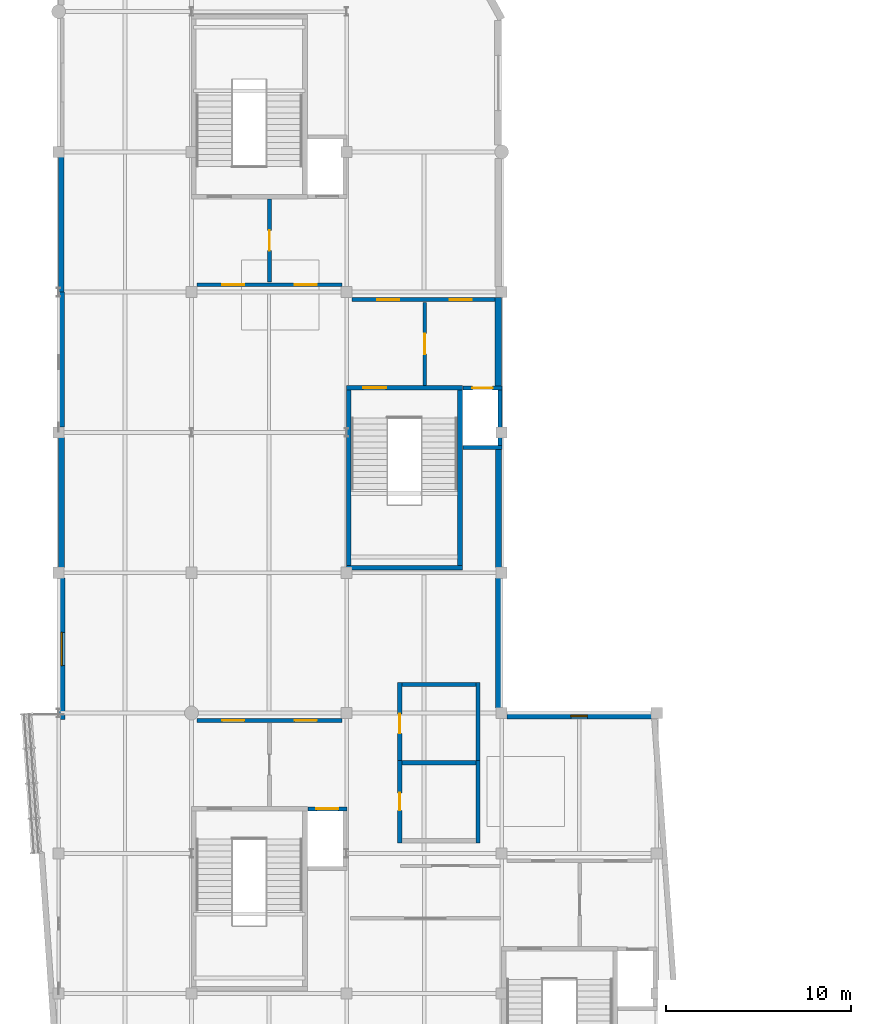
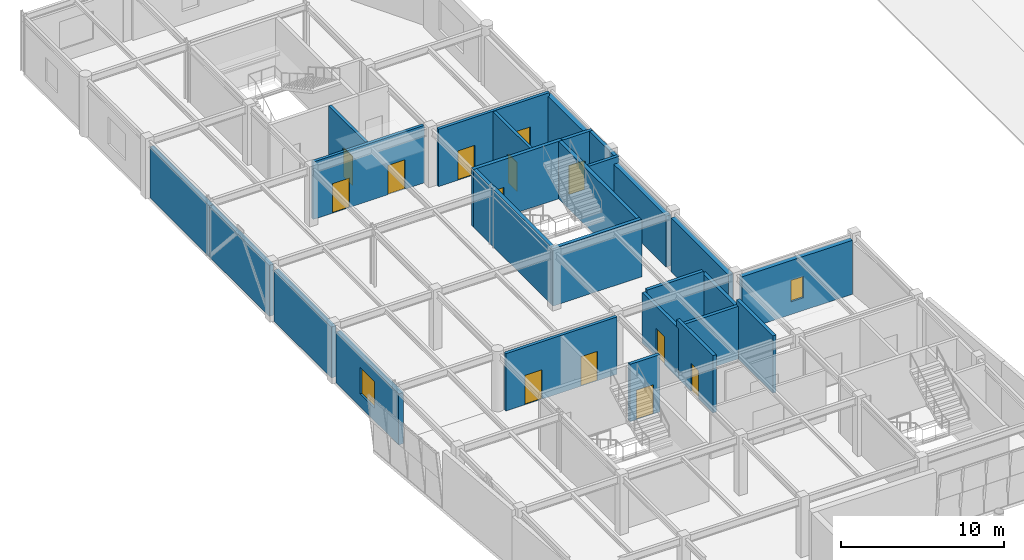
# One storey, part 19 of 28: 27 walls, 13 doors, 2 windows, 15 openings.
"""IFC4 building model written with IfcOpenShell, lengths in metres."""

from ifc_helpers import new_model, si_unit, direction, frame, frame_2d, origin, place, context, subcontext, project, spatial, rectangle, extrude, material, layer, layer_set, type_object, element, fill, save


model = new_model("IFC4")

# Units and contexts
model_context = context("Model", 3, precision=1e-05, world=origin(), true_north=direction((0.0, 1.0)))
body_context = subcontext(model_context, "Body", "Model", "MODEL_VIEW")
ifc_project = project(units=[si_unit("LENGTHUNIT", "METRE"), si_unit("AREAUNIT", "SQUARE_METRE"), si_unit("VOLUMEUNIT", "CUBIC_METRE"), si_unit("PLANEANGLEUNIT", "RADIAN"), si_unit("MASSUNIT", "GRAM", prefix="KILO")], contexts=[model_context])

# Site, building, storey
site_placement = place(None, origin())
site = spatial("IfcSite", under=ifc_project, at=site_placement, CompositionType="ELEMENT")
building_placement = place(site_placement, origin())
building = spatial("IfcBuilding", under=site, at=building_placement, Name="Xicomal Pleat Aquarium", CompositionType="ELEMENT")
storey_placement = place(building_placement, frame((0.0, 0.0, 15.300048828125)))
storey = spatial("IfcBuildingStorey", under=building, at=storey_placement, Name="L04", CompositionType="ELEMENT", Elevation=15.300048828125)

# Wall, opening, door
ifc_material_1 = material(Name="Concrete C40/50", Category="concrete")
ifc_layer_1 = layer(ifc_material_1, 0.219970703125)
ifc_layer_set_1 = layer_set([ifc_layer_1], Name="Concrete C40/50")
wall_type_1 = type_object("IfcWallType", Name="WAL-COR-220", PredefinedType="SHEAR", material=ifc_layer_set_1)
wall_1_placement = place(storey_placement, frame((16.5, 32.81005859375, 0.0), z_axis=(0.0, 0.0, 1.0), x_axis=(1.0, 0.0, 0.0)))
wall_1 = element("IfcWall", 1, at=wall_1_placement, inside=storey, type_object=wall_type_1, Name="L04 LF-01 lift shaft wall CW-L04-C1-LN", PredefinedType="SHEAR", context=body_context, shape_type="SweptSolid", body=[
    extrude(rectangle(XDim=2.1201171875, YDim=0.219970703125, at=frame_2d((1.06005859375, 0.0))), origin(), (0.0, 0.0, 1.0), 4.2900390625),
])
opening_1_placement = place(wall_1_placement, frame((0.4599609375, 0.0, 0.0)))
opening_1 = element("IfcOpeningElement", 2, at=opening_1_placement, cuts=wall_1, Name="Opening LD-01-L04", PredefinedType="OPENING", context=body_context, shape_type="SweptSolid", body=[
    extrude(rectangle(XDim=1.199951171875, YDim=2.199951171875, at=frame_2d((0.60009765625, 1.10009765625))), frame((0.0, 0.119873046875, 0.0), z_axis=(0.0, -1.0, 0.0), x_axis=(1.0, 0.0, 0.0)), (0.0, 0.0, 1.0), 0.239990234375),
])
ifc_material_2 = material(Name="Brushed stainless steel 304", Category="steel")
door_type_1 = type_object("IfcDoorType", Name="DOR-LD-1200x2200", OperationType="DOUBLE_DOOR_SLIDING", PredefinedType="DOOR", material=ifc_material_2)
door_1_placement = place(opening_1_placement, origin())
door_1 = element("IfcDoor", 3, at=door_1_placement, inside=storey, type_object=door_type_1, Name="L04 LF-01 sliding lift landing door", OperationType="DOUBLE_DOOR_SLIDING", OverallHeight=2.199951171875, OverallWidth=1.199951171875, PredefinedType="DOOR", context=body_context, shape_type="SweptSolid", body=[
    extrude(rectangle(XDim=1.199951171875, YDim=2.199951171875, at=frame_2d((0.60009765625, 1.10009765625))), frame((0.0, 0.02490234375, 0.0), z_axis=(0.0, -1.0, 0.0), x_axis=(1.0, 0.0, 0.0)), (0.0, 0.0, 1.0), 0.050048828125),
])
fill(opening_1, door_1)

# Wall
wall_2_placement = place(storey_placement, frame((24.89990234375, 52.389892578125, 0.0), z_axis=(0.0, 0.0, 1.0), x_axis=(1.0, 0.0, 0.0)))
element("IfcWall", 4, at=wall_2_placement, inside=storey, type_object=wall_type_1, Name="L04 LF-04 lift shaft wall CW-L04-C4-LS", PredefinedType="SHEAR", context=body_context, shape_type="SweptSolid", body=[
    extrude(rectangle(XDim=2.1201171875, YDim=0.219970703125, at=frame_2d((1.06005859375, 0.0))), origin(), (0.0, 0.0, 1.0), 4.2900390625),
])

# Wall, opening, door
wall_3_placement = place(storey_placement, frame((24.89990234375, 55.610107421875, 0.0), z_axis=(0.0, 0.0, 1.0), x_axis=(1.0, 0.0, 0.0)))
wall_3 = element("IfcWall", 5, at=wall_3_placement, inside=storey, type_object=wall_type_1, Name="L04 LF-04 lift shaft wall CW-L04-C4-LN", PredefinedType="SHEAR", context=body_context, shape_type="SweptSolid", body=[
    extrude(rectangle(XDim=2.1201171875, YDim=0.219970703125, at=frame_2d((1.06005859375, 0.0))), origin(), (0.0, 0.0, 1.0), 4.2900390625),
])
opening_2_placement = place(wall_3_placement, frame((0.510009765625, 0.0, 0.0)))
opening_2 = element("IfcOpeningElement", 6, at=opening_2_placement, cuts=wall_3, Name="Opening LD-04-L04", PredefinedType="OPENING", context=body_context, shape_type="SweptSolid", body=[
    extrude(rectangle(XDim=1.10009765625, YDim=2.14990234375, at=frame_2d((0.550048828125, 1.074951171875))), frame((0.0, 0.119873046875, 0.0), z_axis=(0.0, -1.0, 0.0), x_axis=(1.0, 0.0, 0.0)), (0.0, 0.0, 1.0), 0.239990234375),
])
ifc_material_3 = material(Name="Brushed stainless steel 304", Category="steel")
door_type_2 = type_object("IfcDoorType", Name="DOR-LD-1100x2150", OperationType="DOUBLE_DOOR_SLIDING", PredefinedType="DOOR", material=ifc_material_3)
door_2_placement = place(opening_2_placement, origin())
door_2 = element("IfcDoor", 7, at=door_2_placement, inside=storey, type_object=door_type_2, Name="L04 LF-04 sliding lift landing door", OperationType="DOUBLE_DOOR_SLIDING", OverallHeight=2.14990234375, OverallWidth=1.10009765625, PredefinedType="DOOR", context=body_context, shape_type="SweptSolid", body=[
    extrude(rectangle(XDim=1.10009765625, YDim=2.14990234375, at=frame_2d((0.550048828125, 1.074951171875))), frame((0.0, 0.02490234375, 0.0), z_axis=(0.0, -1.0, 0.0), x_axis=(1.0, 0.0, 0.0)), (0.0, 0.0, 1.0), 0.050048828125),
])
fill(opening_2, door_2)

# Walls
wall_4_placement = place(storey_placement, frame((26.909912109375, 52.5, 0.0), z_axis=(0.0, 0.0, 1.0), x_axis=(0.0, 1.0, 0.0)))
element("IfcWall", 8, at=wall_4_placement, inside=storey, type_object=wall_type_1, Name="L04 LF-04 lift shaft wall CW-L04-C4-LE", PredefinedType="SHEAR", context=body_context, shape_type="SweptSolid", body=[
    extrude(rectangle(XDim=3.0, YDim=0.219970703125, at=frame_2d((1.5, 0.0))), origin(), (0.0, 0.0, 1.0), 4.2900390625),
])
ifc_material_4 = material(Name="Concrete C40/50", Category="concrete")
ifc_layer_2 = layer(ifc_material_4, 0.25)
ifc_layer_set_2 = layer_set([ifc_layer_2], Name="Concrete C40/50")
wall_type_2 = type_object("IfcWallType", Name="WAL-COR-250", PredefinedType="SHEAR", material=ifc_layer_set_2)
wall_5_placement = place(storey_placement, frame((18.590087890625, 45.875, 0.0), z_axis=(0.0, 0.0, 1.0), x_axis=(1.0, 0.0, 0.0)))
element("IfcWall", 9, at=wall_5_placement, inside=storey, type_object=wall_type_2, Name="L04 CORE-4 stair shear wall CW-L04-C4-SS", PredefinedType="SHEAR", context=body_context, shape_type="SweptSolid", body=[
    extrude(rectangle(XDim=6.280029296875, YDim=0.25, at=frame_2d((3.14013671875, 0.0))), origin(), (0.0, 0.0, 1.0), 4.2900390625),
])

# Wall, opening, door
wall_6_placement = place(storey_placement, frame((18.590087890625, 55.625, 0.0), z_axis=(0.0, 0.0, 1.0), x_axis=(1.0, 0.0, 0.0)))
wall_6 = element("IfcWall", 10, at=wall_6_placement, inside=storey, type_object=wall_type_2, Name="L04 CORE-4 stair shear wall CW-L04-C4-SN", PredefinedType="SHEAR", context=body_context, shape_type="SweptSolid", body=[
    extrude(rectangle(XDim=6.280029296875, YDim=0.25, at=frame_2d((3.14013671875, 0.0))), origin(), (0.0, 0.0, 1.0), 4.2900390625),
])
opening_3_placement = place(wall_6_placement, frame((0.89990234375, 0.0, 0.0)))
opening_3 = element("IfcOpeningElement", 11, at=opening_3_placement, cuts=wall_6, Name="Opening SD-04-L04", PredefinedType="OPENING", context=body_context, shape_type="SweptSolid", body=[
    extrude(rectangle(XDim=1.25, YDim=2.199951171875, at=frame_2d((0.625, 1.10009765625))), frame((0.0, 0.135009765625, 0.0), z_axis=(0.0, -1.0, 0.0), x_axis=(1.0, 0.0, 0.0)), (0.0, 0.0, 1.0), 0.27001953125),
])
ifc_material_5 = material(Name="Powder-coated steel fire door", Category="steel")
door_type_3 = type_object("IfcDoorType", Name="DOR-ST-1250x2200", OperationType="NOTDEFINED", PredefinedType="DOOR", material=ifc_material_5)
door_3_placement = place(opening_3_placement, origin())
door_3 = element("IfcDoor", 12, at=door_3_placement, inside=storey, type_object=door_type_3, Name="L04 ST-04 protected stair door", OperationType="SINGLE_SWING_LEFT", OverallHeight=2.199951171875, OverallWidth=1.25, PredefinedType="DOOR", context=body_context, shape_type="SweptSolid", body=[
    extrude(rectangle(XDim=1.25, YDim=2.199951171875, at=frame_2d((0.625, 1.10009765625))), frame((0.0, 0.02490234375, 0.0), z_axis=(0.0, -1.0, 0.0), x_axis=(1.0, 0.0, 0.0)), (0.0, 0.0, 1.0), 0.050048828125),
])
fill(opening_3, door_3)

# Walls
for number, where, z_axis, x_axis, name in (
    (13, (18.715087890625, 46.0, 0.0), (0.0, 0.0, 1.0), (0.0, 1.0, 0.0), "L04 CORE-4 stair shear wall CW-L04-C4-SW"),
    (14, (24.7451171875, 46.0, 0.0), (0.0, 0.0, 1.0), (0.0, 1.0, 0.0), "L04 CORE-4 stair shear wall CW-L04-C4-SE"),
):
    element("IfcWall", number, at=place(storey_placement, frame(where, z_axis=z_axis, x_axis=x_axis)), inside=storey, type_object=wall_type_2, Name=name, PredefinedType="SHEAR", context=body_context, shape_type="SweptSolid", body=[
        extrude(rectangle(XDim=9.5, YDim=0.25, at=frame_2d((4.75, 0.0))), origin(), (0.0, 0.0, 1.0), 4.2900390625),
    ])
ifc_material_6 = material(Name="Volcanic basalt recinto masonry and concrete C40/50", Category="masonry")
ifc_layer_3 = layer(ifc_material_6, 0.35009765625)
ifc_layer_set_3 = layer_set([ifc_layer_3], Name="Volcanic basalt recinto masonry and concrete C40/50")
wall_type_3 = type_object("IfcWallType", Name="WAL-EXT-BAS-350", PredefinedType="SOLIDWALL", material=ifc_layer_set_3)
wall_7_placement = place(storey_placement, frame((26.824951171875, 60.514892578125, 0.0), z_axis=(0.0, 0.0, 1.0), x_axis=(0.0, -1.0, 0.0)))
element("IfcWall", 15, at=wall_7_placement, inside=storey, type_object=wall_type_3, Name="L04 exterior basalt-precast wall EW-L04-053", PredefinedType="SOLIDWALL", context=body_context, shape_type="SweptSolid", body=[
    extrude(rectangle(XDim=4.8349609375, YDim=0.35009765625, at=frame_2d((2.41748046875, 0.0))), origin(), (0.0, 0.0, 1.0), 4.034912109375),
])
ifc_material_7 = material(Name="Precast concrete C40/50", Category="concrete")
ifc_layer_4 = layer(ifc_material_7, 0.300048828125)
ifc_layer_set_4 = layer_set([ifc_layer_4], Name="Precast concrete C40/50")
wall_type_4 = type_object("IfcWallType", Name="WAL-EXT-PRC-300", PredefinedType="SOLIDWALL", material=ifc_layer_set_4)
wall_8_placement = place(storey_placement, frame((3.14990234375, 60.820068359375, 0.0), z_axis=(0.0, 0.0, 1.0), x_axis=(0.0, 1.0, 0.0)))
element("IfcWall", 16, at=wall_8_placement, inside=storey, type_object=wall_type_4, Name="L04 exterior basalt-precast wall EW-L04-044", PredefinedType="SOLIDWALL", context=body_context, shape_type="SweptSolid", body=[
    extrude(rectangle(XDim=7.294921875, YDim=0.300048828125, at=frame_2d((3.6474609375, 0.0))), origin(), (0.0, 0.0, 1.0), 3.81591796875),
])
ifc_material_8 = material(Name="Precast concrete C40/50", Category="concrete")
ifc_layer_5 = layer(ifc_material_8, 0.31201171875)
ifc_layer_set_5 = layer_set([ifc_layer_5], Name="Precast concrete C40/50")
wall_type_5 = type_object("IfcWallType", Name="WAL-EXT-PRC-312", PredefinedType="SOLIDWALL", material=ifc_layer_set_5)
wall_9_placement = place(storey_placement, frame((3.156005859375, 53.485107421875, 0.0), z_axis=(0.0, 0.0, 1.0), x_axis=(0.0, 1.0, 0.0)))
element("IfcWall", 17, at=wall_9_placement, inside=storey, type_object=wall_type_5, Name="L04 exterior basalt-precast wall EW-L04-043", PredefinedType="SOLIDWALL", context=body_context, shape_type="SweptSolid", body=[
    extrude(rectangle(XDim=7.3349609375, YDim=0.31201171875, at=frame_2d((3.66748046875, 0.0))), origin(), (0.0, 0.0, 1.0), 3.81591796875),
])

# Wall, opening, window
wall_10_placement = place(storey_placement, frame((27.284912109375, 37.843994140625, 0.0), z_axis=(0.0, 0.0, 1.0), x_axis=(1.0, 0.0, 0.0)))
wall_10 = element("IfcWall", 18, at=wall_10_placement, inside=storey, type_object=wall_type_5, Name="L04 exterior basalt-precast wall EW-L04-056", PredefinedType="SOLIDWALL", context=body_context, shape_type="SweptSolid", body=[
    extrude(rectangle(XDim=7.830078125, YDim=0.31201171875, at=frame_2d((3.9150390625, 0.0))), origin(), (0.0, 0.0, 1.0), 4.034912109375),
])
opening_4_placement = place(wall_10_placement, frame((3.465087890625, 0.0, 0.949951171875)))
opening_4 = element("IfcOpeningElement", 19, at=opening_4_placement, cuts=wall_10, Name="Opening WN-06", PredefinedType="OPENING", context=body_context, shape_type="SweptSolid", body=[
    extrude(rectangle(XDim=0.89990234375, YDim=1.60009765625, at=frame_2d((0.449951171875, 0.800048828125))), frame((0.0, 0.166015625, 0.0), z_axis=(0.0, -1.0, 0.0), x_axis=(1.0, 0.0, 0.0)), (0.0, 0.0, 1.0), 0.33203125),
])
ifc_material_9 = material(Name="Insulated low-E laminated glass", Category="glass")
window_type_1 = type_object("IfcWindowType", Name="WIN-EXT-0900x1600", PartitioningType="SINGLE_PANEL", PredefinedType="WINDOW", material=ifc_material_9)
window_1_placement = place(opening_4_placement, origin())
window_1 = element("IfcWindow", 20, at=window_1_placement, inside=storey, type_object=window_type_1, Name="L04 thermally broken low-E window 80", OverallHeight=1.60009765625, OverallWidth=0.89990234375, PartitioningType="SINGLE_PANEL", PredefinedType="WINDOW", context=body_context, shape_type="SweptSolid", body=[
    extrude(rectangle(XDim=0.89990234375, YDim=1.60009765625, at=frame_2d((0.449951171875, 0.800048828125))), frame((0.0, 0.030029296875, 0.0), z_axis=(0.0, -1.0, 0.0), x_axis=(1.0, 0.0, 0.0)), (0.0, 0.0, 1.0), 0.06005859375),
])
fill(opening_4, window_1)

# Walls
ifc_material_10 = material(Name="Precast concrete C40/50", Category="concrete")
ifc_layer_6 = layer(ifc_material_10, 0.324951171875)
ifc_layer_set_6 = layer_set([ifc_layer_6], Name="Precast concrete C40/50")
wall_type_6 = type_object("IfcWallType", Name="WAL-EXT-PRC-325", PredefinedType="SOLIDWALL", material=ifc_layer_set_6)
wall_11_placement = place(storey_placement, frame((3.1630859375, 45.885009765625, 0.0), z_axis=(0.0, 0.0, 1.0), x_axis=(0.0, 1.0, 0.0)))
element("IfcWall", 21, at=wall_11_placement, inside=storey, type_object=wall_type_6, Name="L04 exterior basalt-precast wall EW-L04-042", PredefinedType="SOLIDWALL", context=body_context, shape_type="SweptSolid", body=[
    extrude(rectangle(XDim=7.030029296875, YDim=0.324951171875, at=frame_2d((3.51513671875, 0.0))), origin(), (0.0, 0.0, 1.0), 3.81591796875),
])
wall_12_placement = place(storey_placement, frame((26.8369140625, 45.31494140625, 0.0), z_axis=(0.0, 0.0, 1.0), x_axis=(0.0, -1.0, 0.0)))
element("IfcWall", 22, at=wall_12_placement, inside=storey, type_object=wall_type_6, Name="L04 exterior basalt-precast wall EW-L04-055", PredefinedType="SOLIDWALL", context=body_context, shape_type="SweptSolid", body=[
    extrude(rectangle(XDim=7.030029296875, YDim=0.324951171875, at=frame_2d((3.51513671875, 0.0))), origin(), (0.0, 0.0, 1.0), 4.034912109375),
])

# Wall, opening, window
ifc_material_11 = material(Name="Precast concrete C40/50", Category="concrete")
ifc_layer_7 = layer(ifc_material_11, 0.340087890625)
ifc_layer_set_7 = layer_set([ifc_layer_7], Name="Precast concrete C40/50")
wall_type_7 = type_object("IfcWallType", Name="WAL-EXT-PRC-340", PredefinedType="SOLIDWALL", material=ifc_layer_set_7)
wall_13_placement = place(storey_placement, frame((3.169921875, 37.639892578125, 0.0), z_axis=(0.0, 0.0, 1.0), x_axis=(0.0, 1.0, 0.0)))
wall_13 = element("IfcWall", 23, at=wall_13_placement, inside=storey, type_object=wall_type_7, Name="L04 exterior basalt-precast wall EW-L04-041", PredefinedType="SOLIDWALL", context=body_context, shape_type="SweptSolid", body=[
    extrude(rectangle(XDim=7.675048828125, YDim=0.340087890625, at=frame_2d((3.83740234375, 0.0))), origin(), (0.0, 0.0, 1.0), 3.81591796875),
])
opening_5_placement = place(wall_13_placement, frame((2.93701171875, 0.0, 0.949951171875)))
opening_5 = element("IfcOpeningElement", 24, at=opening_5_placement, cuts=wall_13, Name="Opening WN-03", PredefinedType="OPENING", context=body_context, shape_type="SweptSolid", body=[
    extrude(rectangle(XDim=1.800048828125, YDim=2.0, at=frame_2d((0.89990234375, 1.0))), frame((0.0, 0.179931640625, 0.0), z_axis=(0.0, -1.0, 0.0), x_axis=(1.0, 0.0, 0.0)), (0.0, 0.0, 1.0), 0.360107421875),
])
ifc_material_12 = material(Name="Insulated low-E laminated glass", Category="glass")
window_type_2 = type_object("IfcWindowType", Name="WIN-EXT-1800x2000", PartitioningType="DOUBLE_PANEL_VERTICAL", PredefinedType="WINDOW", material=ifc_material_12)
window_2_placement = place(opening_5_placement, origin())
window_2 = element("IfcWindow", 25, at=window_2_placement, inside=storey, type_object=window_type_2, Name="L04 thermally broken low-E window 73", OverallHeight=2.0, OverallWidth=1.800048828125, PartitioningType="SINGLE_PANEL", PredefinedType="WINDOW", context=body_context, shape_type="SweptSolid", body=[
    extrude(rectangle(XDim=1.800048828125, YDim=2.0, at=frame_2d((0.89990234375, 1.0))), frame((0.0, 0.030029296875, 0.0), z_axis=(0.0, -1.0, 0.0), x_axis=(1.0, 0.0, 0.0)), (0.0, 0.0, 1.0), 0.06005859375),
])
fill(opening_5, window_2)

# Wall
wall_14_placement = place(storey_placement, frame((26.830078125, 52.320068359375, 0.0), z_axis=(0.0, 0.0, 1.0), x_axis=(0.0, -1.0, 0.0)))
element("IfcWall", 26, at=wall_14_placement, inside=storey, type_object=wall_type_7, Name="L04 exterior basalt-precast wall EW-L04-054", PredefinedType="SOLIDWALL", context=body_context, shape_type="SweptSolid", body=[
    extrude(rectangle(XDim=6.43505859375, YDim=0.340087890625, at=frame_2d((3.217529296875, 0.0))), origin(), (0.0, 0.0, 1.0), 3.81591796875),
])

# Wall, opening, door
ifc_material_13 = material(Name="Water-resistant cement-board wet-lab partition", Category="gypsum")
ifc_layer_8 = layer(ifc_material_13, 0.22998046875)
ifc_layer_set_8 = layer_set([ifc_layer_8], Name="Water-resistant cement-board wet-lab partition")
wall_type_8 = type_object("IfcWallType", Name="WAL-PLB-230", PredefinedType="PLUMBINGWALL", material=ifc_layer_set_8)
wall_15_placement = place(storey_placement, frame((21.485107421875, 30.969970703125, 0.0), z_axis=(0.0, 0.0, 1.0), x_axis=(0.0, 1.0, 0.0)))
wall_15 = element("IfcWall", 27, at=wall_15_placement, inside=storey, type_object=wall_type_8, Name="L04 enclosed toilet partition PT-L04-060", PredefinedType="PLUMBINGWALL", context=body_context, shape_type="SweptSolid", body=[
    extrude(rectangle(XDim=4.4599609375, YDim=0.22998046875, at=frame_2d((2.22998046875, 0.0))), origin(), (0.0, 0.0, 1.0), 4.2900390625),
])
opening_6_placement = place(wall_15_placement, frame((1.7548828125, 0.0, 0.0)))
opening_6 = element("IfcOpeningElement", 28, at=opening_6_placement, cuts=wall_15, Name="Opening DR-L04-034", PredefinedType="OPENING", context=body_context, shape_type="SweptSolid", body=[
    extrude(rectangle(XDim=0.949951171875, YDim=2.10009765625, at=frame_2d((0.47509765625, 1.050048828125))), frame((0.0, 0.125, 0.0), z_axis=(0.0, -1.0, 0.0), x_axis=(1.0, 0.0, 0.0)), (0.0, 0.0, 1.0), 0.25),
])
ifc_material_14 = material(Name="Solid-core hardwood and anodized aluminium frame", Category="wood")
door_type_4 = type_object("IfcDoorType", Name="DOR-WC-0950x2100", OperationType="NOTDEFINED", PredefinedType="DOOR", material=ifc_material_14)
door_4_placement = place(opening_6_placement, origin())
door_4 = element("IfcDoor", 29, at=door_4_placement, inside=storey, type_object=door_type_4, Name="L04 Public Toilet door DR-L04-034", OperationType="SINGLE_SWING_RIGHT", OverallHeight=2.10009765625, OverallWidth=0.949951171875, PredefinedType="DOOR", context=body_context, shape_type="SweptSolid", body=[
    extrude(rectangle(XDim=0.949951171875, YDim=2.10009765625, at=frame_2d((0.47509765625, 1.050048828125))), frame((0.0, 0.02490234375, 0.0), z_axis=(0.0, -1.0, 0.0), x_axis=(1.0, 0.0, 0.0)), (0.0, 0.0, 1.0), 0.050048828125),
])
fill(opening_6, door_4)

# Walls
wall_16_placement = place(storey_placement, frame((25.715087890625, 30.969970703125, 0.0), z_axis=(0.0, 0.0, 1.0), x_axis=(0.0, 1.0, 0.0)))
element("IfcWall", 30, at=wall_16_placement, inside=storey, type_object=wall_type_8, Name="L04 enclosed toilet partition PT-L04-061", PredefinedType="PLUMBINGWALL", context=body_context, shape_type="SweptSolid", body=[
    extrude(rectangle(XDim=4.4599609375, YDim=0.22998046875, at=frame_2d((2.22998046875, 0.0))), origin(), (0.0, 0.0, 1.0), 4.2900390625),
])
wall_17_placement = place(storey_placement, frame((21.60009765625, 35.31494140625, 0.0), z_axis=(0.0, 0.0, 1.0), x_axis=(1.0, 0.0, 0.0)))
element("IfcWall", 31, at=wall_17_placement, inside=storey, type_object=wall_type_8, Name="L04 enclosed toilet partition PT-L04-063", PredefinedType="PLUMBINGWALL", context=body_context, shape_type="SweptSolid", body=[
    extrude(rectangle(XDim=4.0, YDim=0.22998046875, at=frame_2d((2.0, 0.0))), origin(), (0.0, 0.0, 1.0), 3.930908203125),
])

# Wall, opening, door
wall_18_placement = place(storey_placement, frame((21.485107421875, 35.199951171875, 0.0), z_axis=(0.0, 0.0, 1.0), x_axis=(0.0, 1.0, 0.0)))
wall_18 = element("IfcWall", 32, at=wall_18_placement, inside=storey, type_object=wall_type_8, Name="L04 enclosed toilet partition PT-L04-064", PredefinedType="PLUMBINGWALL", context=body_context, shape_type="SweptSolid", body=[
    extrude(rectangle(XDim=4.4599609375, YDim=0.22998046875, at=frame_2d((2.22998046875, 0.0))), origin(), (0.0, 0.0, 1.0), 3.740966796875),
])
opening_7_placement = place(wall_18_placement, frame((1.705078125, 0.0, 0.0)))
opening_7 = element("IfcOpeningElement", 33, at=opening_7_placement, cuts=wall_18, Name="Opening DR-L04-035", PredefinedType="OPENING", context=body_context, shape_type="SweptSolid", body=[
    extrude(rectangle(XDim=1.050048828125, YDim=2.10009765625, at=frame_2d((0.52490234375, 1.050048828125))), frame((0.0, 0.125, 0.0), z_axis=(0.0, -1.0, 0.0), x_axis=(1.0, 0.0, 0.0)), (0.0, 0.0, 1.0), 0.25),
])
ifc_material_15 = material(Name="Solid-core hardwood and anodized aluminium frame", Category="wood")
door_type_5 = type_object("IfcDoorType", Name="DOR-AWC-1050x2100", OperationType="NOTDEFINED", PredefinedType="DOOR", material=ifc_material_15)
door_5_placement = place(opening_7_placement, origin())
door_5 = element("IfcDoor", 34, at=door_5_placement, inside=storey, type_object=door_type_5, Name="L04 Accessible Toilet door DR-L04-035", OperationType="SINGLE_SWING_LEFT", OverallHeight=2.10009765625, OverallWidth=1.050048828125, PredefinedType="DOOR", context=body_context, shape_type="SweptSolid", body=[
    extrude(rectangle(XDim=1.050048828125, YDim=2.10009765625, at=frame_2d((0.52490234375, 1.050048828125))), frame((0.0, 0.02490234375, 0.0), z_axis=(0.0, -1.0, 0.0), x_axis=(1.0, 0.0, 0.0)), (0.0, 0.0, 1.0), 0.050048828125),
])
fill(opening_7, door_5)

# Walls
wall_19_placement = place(storey_placement, frame((25.715087890625, 35.199951171875, 0.0), z_axis=(0.0, 0.0, 1.0), x_axis=(0.0, 1.0, 0.0)))
element("IfcWall", 35, at=wall_19_placement, inside=storey, type_object=wall_type_8, Name="L04 enclosed toilet partition PT-L04-065", PredefinedType="PLUMBINGWALL", context=body_context, shape_type="SweptSolid", body=[
    extrude(rectangle(XDim=4.4599609375, YDim=0.22998046875, at=frame_2d((2.22998046875, 0.0))), origin(), (0.0, 0.0, 1.0), 3.740966796875),
])
wall_20_placement = place(storey_placement, frame((21.60009765625, 39.544921875, 0.0), z_axis=(0.0, 0.0, 1.0), x_axis=(1.0, 0.0, 0.0)))
element("IfcWall", 36, at=wall_20_placement, inside=storey, type_object=wall_type_8, Name="L04 enclosed toilet partition PT-L04-066", PredefinedType="PLUMBINGWALL", context=body_context, shape_type="SweptSolid", body=[
    extrude(rectangle(XDim=4.0, YDim=0.22998046875, at=frame_2d((2.0, 0.0))), origin(), (0.0, 0.0, 1.0), 3.98193359375),
])

# Wall, opening, door
ifc_material_16 = material(Name="Acoustic double-stud drywall partition", Category="gypsum")
ifc_layer_9 = layer(ifc_material_16, 0.195068359375)
ifc_layer_set_9 = layer_set([ifc_layer_9], Name="Acoustic double-stud drywall partition")
wall_type_9 = type_object("IfcWallType", Name="WAL-PRT-195", PredefinedType="PARTITIONING", material=ifc_layer_set_9)
wall_21_placement = place(storey_placement, frame((14.425048828125, 61.35009765625, 0.0), z_axis=(0.0, 0.0, 1.0), x_axis=(0.0, 1.0, 0.0)))
wall_21 = element("IfcWall", 37, at=wall_21_placement, inside=storey, type_object=wall_type_9, Name="L04 firefighting lobby smoke divider 3", PredefinedType="PARTITIONING", context=body_context, shape_type="SweptSolid", body=[
    extrude(rectangle(XDim=4.5, YDim=0.195068359375, at=frame_2d((2.25, 0.0))), origin(), (0.0, 0.0, 1.0), 4.2900390625),
])
opening_8_placement = place(wall_21_placement, frame((1.699951171875, 0.0, 0.0)))
opening_8 = element("IfcOpeningElement", 38, at=opening_8_placement, cuts=wall_21, Name="Opening FD-03C-L04", PredefinedType="OPENING", context=body_context, shape_type="SweptSolid", body=[
    extrude(rectangle(XDim=1.10009765625, YDim=2.14990234375, at=frame_2d((0.550048828125, 1.074951171875))), frame((0.0, 0.107421875, 0.0), z_axis=(0.0, -1.0, 0.0), x_axis=(1.0, 0.0, 0.0)), (0.0, 0.0, 1.0), 0.215087890625),
])
ifc_material_17 = material(Name="Powder-coated steel fire door", Category="steel")
door_type_6 = type_object("IfcDoorType", Name="DOR-LAB-1100x2150", OperationType="NOTDEFINED", PredefinedType="DOOR", material=ifc_material_17)
door_6_placement = place(opening_8_placement, origin())
door_6 = element("IfcDoor", 39, at=door_6_placement, inside=storey, type_object=door_type_6, Name="L04 lobby interconnecting fire door 3C", OperationType="SINGLE_SWING_LEFT", OverallHeight=2.14990234375, OverallWidth=1.10009765625, PredefinedType="DOOR", context=body_context, shape_type="SweptSolid", body=[
    extrude(rectangle(XDim=1.10009765625, YDim=2.14990234375, at=frame_2d((0.550048828125, 1.074951171875))), frame((0.0, 0.02490234375, 0.0), z_axis=(0.0, -1.0, 0.0), x_axis=(1.0, 0.0, 0.0)), (0.0, 0.0, 1.0), 0.050048828125),
])
fill(opening_8, door_6)

wall_22_placement = place(storey_placement, frame((22.824951171875, 55.75, 0.0), z_axis=(0.0, 0.0, 1.0), x_axis=(0.0, 1.0, 0.0)))
wall_22 = element("IfcWall", 40, at=wall_22_placement, inside=storey, type_object=wall_type_9, Name="L04 firefighting lobby smoke divider 4", PredefinedType="PARTITIONING", context=body_context, shape_type="SweptSolid", body=[
    extrude(rectangle(XDim=4.5, YDim=0.195068359375, at=frame_2d((2.25, 0.0))), origin(), (0.0, 0.0, 1.0), 4.2900390625),
])
opening_9_placement = place(wall_22_placement, frame((1.699951171875, 0.0, 0.0)))
opening_9 = element("IfcOpeningElement", 41, at=opening_9_placement, cuts=wall_22, Name="Opening FD-04C-L04", PredefinedType="OPENING", context=body_context, shape_type="SweptSolid", body=[
    extrude(rectangle(XDim=1.10009765625, YDim=2.14990234375, at=frame_2d((0.550048828125, 1.074951171875))), frame((0.0, 0.107421875, 0.0), z_axis=(0.0, -1.0, 0.0), x_axis=(1.0, 0.0, 0.0)), (0.0, 0.0, 1.0), 0.215087890625),
])
door_7_placement = place(opening_9_placement, origin())
door_7 = element("IfcDoor", 42, at=door_7_placement, inside=storey, type_object=door_type_6, Name="L04 lobby interconnecting fire door 4C", OperationType="SINGLE_SWING_LEFT", OverallHeight=2.14990234375, OverallWidth=1.10009765625, PredefinedType="DOOR", context=body_context, shape_type="SweptSolid", body=[
    extrude(rectangle(XDim=1.10009765625, YDim=2.14990234375, at=frame_2d((0.550048828125, 1.074951171875))), frame((0.0, 0.02490234375, 0.0), z_axis=(0.0, -1.0, 0.0), x_axis=(1.0, 0.0, 0.0)), (0.0, 0.0, 1.0), 0.050048828125),
])
fill(opening_9, door_7)

# Wall, openings, doors
ifc_material_18 = material(Name="Fire-rated gypsum and mineral-wool partition", Category="gypsum")
ifc_layer_10 = layer(ifc_material_18, 0.2099609375)
ifc_layer_set_10 = layer_set([ifc_layer_10], Name="Fire-rated gypsum and mineral-wool partition")
wall_type_10 = type_object("IfcWallType", Name="WAL-PRT-210", PredefinedType="PARTITIONING", material=ifc_layer_set_10)
wall_23_placement = place(storey_placement, frame((10.5, 37.60009765625, 0.0), z_axis=(0.0, 0.0, 1.0), x_axis=(1.0, 0.0, 0.0)))
wall_23 = element("IfcWall", 43, at=wall_23_placement, inside=storey, type_object=wall_type_10, Name="L04 CORE-1 lobby fire enclosure wall", PredefinedType="PARTITIONING", context=body_context, shape_type="SweptSolid", body=[
    extrude(rectangle(XDim=7.85009765625, YDim=0.2099609375, at=frame_2d((3.925048828125, 0.0))), origin(), (0.0, 0.0, 1.0), 4.2900390625),
])
opening_10_placement = place(wall_23_placement, frame((1.362060546875, 0.0, 0.0)))
opening_10 = element("IfcOpeningElement", 44, at=opening_10_placement, cuts=wall_23, Name="Opening FD-01A-L04", PredefinedType="OPENING", context=body_context, shape_type="SweptSolid", body=[
    extrude(rectangle(XDim=1.199951171875, YDim=2.199951171875, at=frame_2d((0.60009765625, 1.10009765625))), frame((0.0, 0.114990234375, 0.0), z_axis=(0.0, -1.0, 0.0), x_axis=(1.0, 0.0, 0.0)), (0.0, 0.0, 1.0), 0.22998046875),
])
opening_11_placement = place(wall_23_placement, frame((5.287109375, 0.0, 0.0)))
opening_11 = element("IfcOpeningElement", 45, at=opening_11_placement, cuts=wall_23, Name="Opening FD-01B-L04", PredefinedType="OPENING", context=body_context, shape_type="SweptSolid", body=[
    extrude(rectangle(XDim=1.199951171875, YDim=2.199951171875, at=frame_2d((0.60009765625, 1.10009765625))), frame((0.0, 0.114990234375, 0.0), z_axis=(0.0, -1.0, 0.0), x_axis=(1.0, 0.0, 0.0)), (0.0, 0.0, 1.0), 0.22998046875),
])
ifc_material_19 = material(Name="Powder-coated steel fire door", Category="steel")
door_type_7 = type_object("IfcDoorType", Name="DOR-FFL-1200x2200", OperationType="NOTDEFINED", PredefinedType="DOOR", material=ifc_material_19)
door_8_placement = place(opening_10_placement, origin())
door_8 = element("IfcDoor", 46, at=door_8_placement, inside=storey, type_object=door_type_7, Name="L04 firefighting lobby door 1A", OperationType="SINGLE_SWING_LEFT", OverallHeight=2.199951171875, OverallWidth=1.199951171875, PredefinedType="DOOR", context=body_context, shape_type="SweptSolid", body=[
    extrude(rectangle(XDim=1.199951171875, YDim=2.199951171875, at=frame_2d((0.60009765625, 1.10009765625))), frame((0.0, 0.02490234375, 0.0), z_axis=(0.0, -1.0, 0.0), x_axis=(1.0, 0.0, 0.0)), (0.0, 0.0, 1.0), 0.050048828125),
])
fill(opening_10, door_8)
door_9_placement = place(opening_11_placement, origin())
door_9 = element("IfcDoor", 47, at=door_9_placement, inside=storey, type_object=door_type_7, Name="L04 lift lobby door 1B", OperationType="SINGLE_SWING_RIGHT", OverallHeight=2.199951171875, OverallWidth=1.199951171875, PredefinedType="DOOR", context=body_context, shape_type="SweptSolid", body=[
    extrude(rectangle(XDim=1.199951171875, YDim=2.199951171875, at=frame_2d((0.60009765625, 1.10009765625))), frame((0.0, 0.02490234375, 0.0), z_axis=(0.0, -1.0, 0.0), x_axis=(1.0, 0.0, 0.0)), (0.0, 0.0, 1.0), 0.050048828125),
])
fill(opening_11, door_9)

wall_24_placement = place(storey_placement, frame((10.5, 61.199951171875, 0.0), z_axis=(0.0, 0.0, 1.0), x_axis=(1.0, 0.0, 0.0)))
wall_24 = element("IfcWall", 48, at=wall_24_placement, inside=storey, type_object=wall_type_10, Name="L04 CORE-3 lobby fire enclosure wall", PredefinedType="PARTITIONING", context=body_context, shape_type="SweptSolid", body=[
    extrude(rectangle(XDim=7.85009765625, YDim=0.2099609375, at=frame_2d((3.925048828125, 0.0))), origin(), (0.0, 0.0, 1.0), 4.2900390625),
])
opening_12_placement = place(wall_24_placement, frame((1.362060546875, 0.0, 0.0)))
opening_12 = element("IfcOpeningElement", 49, at=opening_12_placement, cuts=wall_24, Name="Opening FD-03A-L04", PredefinedType="OPENING", context=body_context, shape_type="SweptSolid", body=[
    extrude(rectangle(XDim=1.199951171875, YDim=2.199951171875, at=frame_2d((0.60009765625, 1.10009765625))), frame((0.0, 0.114990234375, 0.0), z_axis=(0.0, -1.0, 0.0), x_axis=(1.0, 0.0, 0.0)), (0.0, 0.0, 1.0), 0.22998046875),
])
opening_13_placement = place(wall_24_placement, frame((5.287109375, 0.0, 0.0)))
opening_13 = element("IfcOpeningElement", 50, at=opening_13_placement, cuts=wall_24, Name="Opening FD-03B-L04", PredefinedType="OPENING", context=body_context, shape_type="SweptSolid", body=[
    extrude(rectangle(XDim=1.199951171875, YDim=2.199951171875, at=frame_2d((0.60009765625, 1.10009765625))), frame((0.0, 0.114990234375, 0.0), z_axis=(0.0, -1.0, 0.0), x_axis=(1.0, 0.0, 0.0)), (0.0, 0.0, 1.0), 0.22998046875),
])
door_10_placement = place(opening_12_placement, origin())
door_10 = element("IfcDoor", 51, at=door_10_placement, inside=storey, type_object=door_type_7, Name="L04 firefighting lobby door 3A", OperationType="SINGLE_SWING_LEFT", OverallHeight=2.199951171875, OverallWidth=1.199951171875, PredefinedType="DOOR", context=body_context, shape_type="SweptSolid", body=[
    extrude(rectangle(XDim=1.199951171875, YDim=2.199951171875, at=frame_2d((0.60009765625, 1.10009765625))), frame((0.0, 0.02490234375, 0.0), z_axis=(0.0, -1.0, 0.0), x_axis=(1.0, 0.0, 0.0)), (0.0, 0.0, 1.0), 0.050048828125),
])
fill(opening_12, door_10)
door_11_placement = place(opening_13_placement, origin())
door_11 = element("IfcDoor", 52, at=door_11_placement, inside=storey, type_object=door_type_7, Name="L04 lift lobby door 3B", OperationType="SINGLE_SWING_RIGHT", OverallHeight=2.199951171875, OverallWidth=1.199951171875, PredefinedType="DOOR", context=body_context, shape_type="SweptSolid", body=[
    extrude(rectangle(XDim=1.199951171875, YDim=2.199951171875, at=frame_2d((0.60009765625, 1.10009765625))), frame((0.0, 0.02490234375, 0.0), z_axis=(0.0, -1.0, 0.0), x_axis=(1.0, 0.0, 0.0)), (0.0, 0.0, 1.0), 0.050048828125),
])
fill(opening_13, door_11)

wall_25_placement = place(storey_placement, frame((18.89990234375, 60.39990234375, 0.0), z_axis=(0.0, 0.0, 1.0), x_axis=(1.0, 0.0, 0.0)))
wall_25 = element("IfcWall", 53, at=wall_25_placement, inside=storey, type_object=wall_type_10, Name="L04 CORE-4 lobby fire enclosure wall", PredefinedType="PARTITIONING", context=body_context, shape_type="SweptSolid", body=[
    extrude(rectangle(XDim=7.85009765625, YDim=0.2099609375, at=frame_2d((3.925048828125, 0.0))), origin(), (0.0, 0.0, 1.0), 4.2900390625),
])
opening_14_placement = place(wall_25_placement, frame((1.362060546875, 0.0, 0.0)))
opening_14 = element("IfcOpeningElement", 54, at=opening_14_placement, cuts=wall_25, Name="Opening FD-04A-L04", PredefinedType="OPENING", context=body_context, shape_type="SweptSolid", body=[
    extrude(rectangle(XDim=1.199951171875, YDim=2.199951171875, at=frame_2d((0.60009765625, 1.10009765625))), frame((0.0, 0.114990234375, 0.0), z_axis=(0.0, -1.0, 0.0), x_axis=(1.0, 0.0, 0.0)), (0.0, 0.0, 1.0), 0.22998046875),
])
opening_15_placement = place(wall_25_placement, frame((5.287109375, 0.0, 0.0)))
opening_15 = element("IfcOpeningElement", 55, at=opening_15_placement, cuts=wall_25, Name="Opening FD-04B-L04", PredefinedType="OPENING", context=body_context, shape_type="SweptSolid", body=[
    extrude(rectangle(XDim=1.199951171875, YDim=2.199951171875, at=frame_2d((0.60009765625, 1.10009765625))), frame((0.0, 0.114990234375, 0.0), z_axis=(0.0, -1.0, 0.0), x_axis=(1.0, 0.0, 0.0)), (0.0, 0.0, 1.0), 0.22998046875),
])
door_12_placement = place(opening_14_placement, origin())
door_12 = element("IfcDoor", 56, at=door_12_placement, inside=storey, type_object=door_type_7, Name="L04 firefighting lobby door 4A", OperationType="SINGLE_SWING_LEFT", OverallHeight=2.199951171875, OverallWidth=1.199951171875, PredefinedType="DOOR", context=body_context, shape_type="SweptSolid", body=[
    extrude(rectangle(XDim=1.199951171875, YDim=2.199951171875, at=frame_2d((0.60009765625, 1.10009765625))), frame((0.0, 0.02490234375, 0.0), z_axis=(0.0, -1.0, 0.0), x_axis=(1.0, 0.0, 0.0)), (0.0, 0.0, 1.0), 0.050048828125),
])
fill(opening_14, door_12)
door_13_placement = place(opening_15_placement, origin())
door_13 = element("IfcDoor", 57, at=door_13_placement, inside=storey, type_object=door_type_7, Name="L04 lift lobby door 4B", OperationType="SINGLE_SWING_RIGHT", OverallHeight=2.199951171875, OverallWidth=1.199951171875, PredefinedType="DOOR", context=body_context, shape_type="SweptSolid", body=[
    extrude(rectangle(XDim=1.199951171875, YDim=2.199951171875, at=frame_2d((0.60009765625, 1.10009765625))), frame((0.0, 0.02490234375, 0.0), z_axis=(0.0, -1.0, 0.0), x_axis=(1.0, 0.0, 0.0)), (0.0, 0.0, 1.0), 0.050048828125),
])
fill(opening_15, door_13)

save(model, "model.ifc")
